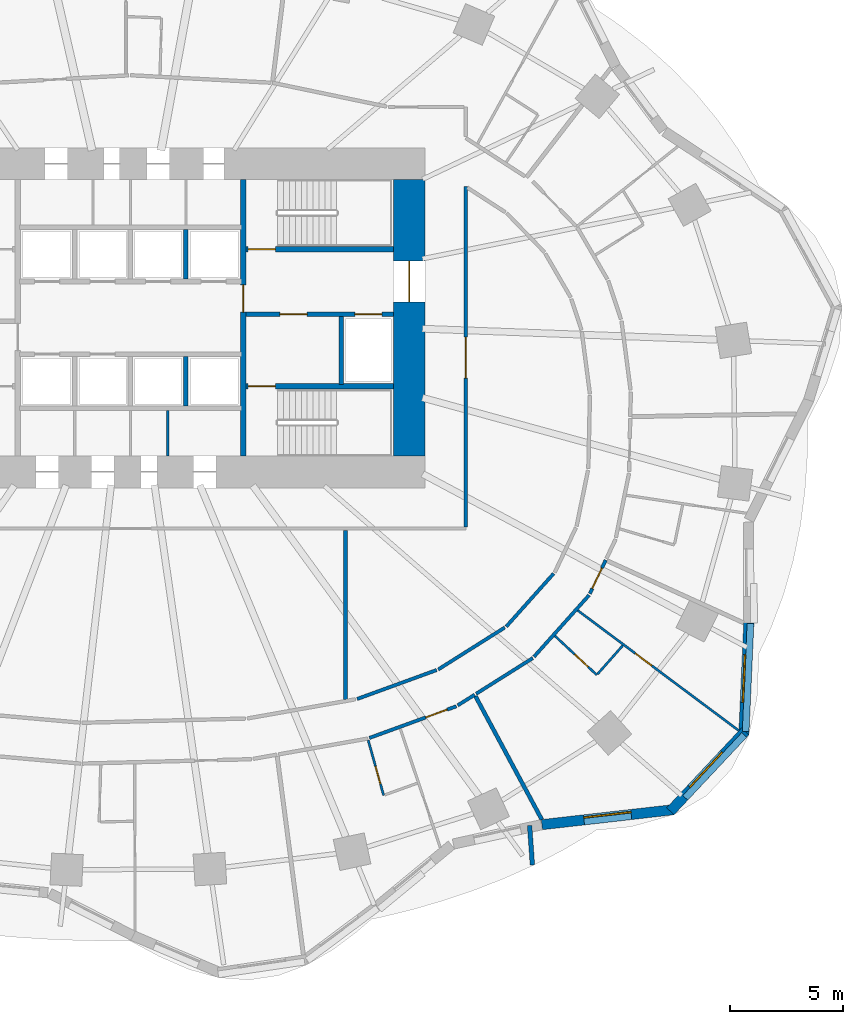
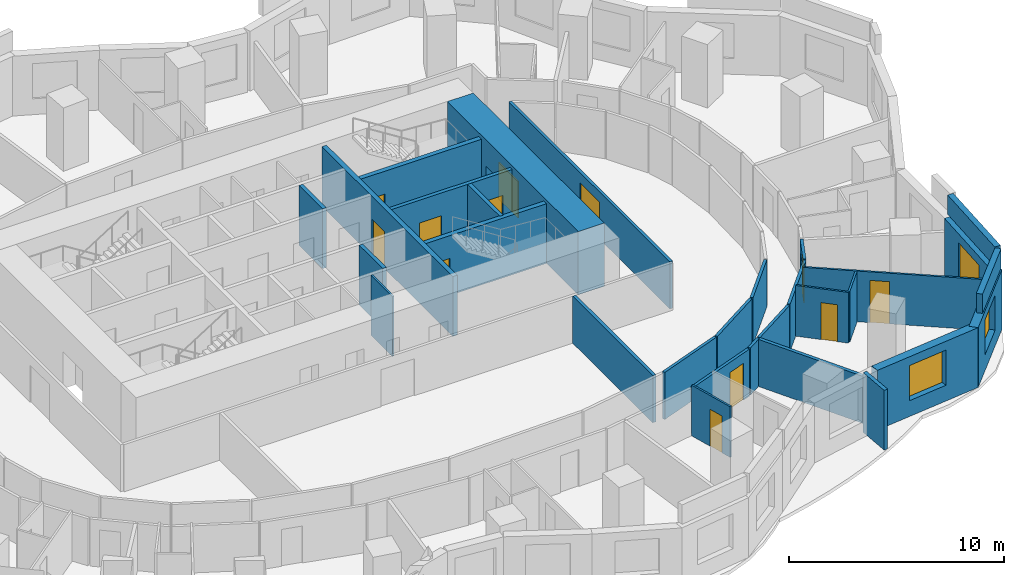
# One storey, part 6 of 11: 30 walls, 12 doors, 3 windows, 15 openings.
"""IFC4 building model written with IfcOpenShell, lengths in metres."""

from ifc_helpers import new_model, si_unit, direction, frame, frame_2d, origin, place, context, subcontext, project, spatial, rectangle, extrude, material, layer, layer_set, type_object, element, fill, save


model = new_model("IFC4")

# Units and contexts
model_context = context("Model", 3, precision=1e-05, world=origin(), true_north=direction((0.0, 1.0)))
body_context = subcontext(model_context, "Body", "Model", "MODEL_VIEW")
ifc_project = project(units=[si_unit("LENGTHUNIT", "METRE"), si_unit("AREAUNIT", "SQUARE_METRE"), si_unit("VOLUMEUNIT", "CUBIC_METRE"), si_unit("PLANEANGLEUNIT", "RADIAN"), si_unit("MASSUNIT", "GRAM", prefix="KILO")], contexts=[model_context])

# Site, building, storey
site_placement = place(None, origin())
site = spatial("IfcSite", under=ifc_project, at=site_placement, CompositionType="ELEMENT")
building_placement = place(site_placement, origin())
building = spatial("IfcBuilding", under=site, at=building_placement, Name="Rubra Terraces Tower", CompositionType="ELEMENT")
storey_placement = place(building_placement, frame((0.0, 0.0, 37.5)))
storey = spatial("IfcBuildingStorey", under=building, at=storey_placement, Name="L06", CompositionType="ELEMENT", Elevation=37.5)

# Walls
ifc_material_1 = material(Name="Twin plasterboard on staggered steel stud, acoustic mineral wool", Category="steel")
ifc_layer_1 = layer(ifc_material_1, 0.175048828125)
ifc_layer_set_1 = layer_set([ifc_layer_1], Name="Twin plasterboard on staggered steel stud, acoustic mineral wool")
wall_type_1 = type_object("IfcWallType", Name="ACOUSTIC PARTY WALL 175", PredefinedType="PARTITIONING", material=ifc_layer_set_1)
wall_1_placement = place(storey_placement, frame((18.152099609375, -17.638916015625, 0.0), z_axis=(0.0, 0.0, 1.0), x_axis=(-0.47366383337, 0.880705724381, 0.0)))
element("IfcWall", 1, at=wall_1_placement, inside=storey, type_object=wall_type_1, Name="PARTITION", PredefinedType="PARTITIONING", context=body_context, shape_type="SweptSolid", body=[
    extrude(rectangle(XDim=6.178466796875, YDim=0.175048828125, at=frame_2d((3.08935546875, 0.0))), origin(), (0.0, 0.0, 1.0), 2.679931640625),
])
wall_2_placement = place(storey_placement, frame((9.5, -12.335205078125, 0.0), z_axis=(0.0, 0.0, 1.0), x_axis=(0.0, 1.0, 0.0)))
element("IfcWall", 2, at=wall_2_placement, inside=storey, type_object=wall_type_1, Name="PARTITION", PredefinedType="PARTITIONING", context=body_context, shape_type="SweptSolid", body=[
    extrude(rectangle(XDim=7.460205078125, YDim=0.175048828125, at=frame_2d((3.72998046875, 0.0))), origin(), (0.0, 0.0, 1.0), 2.679931640625),
])

# Wall, opening, window
ifc_material_2 = material(Name="Brick masonry red-brown", Category="masonry")
ifc_layer_2 = layer(ifc_material_2, 0.449951171875)
ifc_layer_set_2 = layer_set([ifc_layer_2], Name="Brick masonry red-brown")
wall_type_2 = type_object("IfcWallType", Name="Brick facade wall 450", PredefinedType="SOLIDWALL", material=ifc_layer_set_2)
wall_3_placement = place(storey_placement, frame((18.154296875, -17.864990234375, 0.0), z_axis=(0.0, 0.0, 1.0), x_axis=(0.993572909097, 0.113193967633, 0.0)))
wall_3 = element("IfcWall", 3, at=wall_3_placement, inside=storey, type_object=wall_type_2, Name="Facade wall L06 bay 36", PredefinedType="SOLIDWALL", context=body_context, shape_type="SweptSolid", body=[
    extrude(rectangle(XDim=5.838623046875, YDim=0.449951171875, at=frame_2d((2.91943359375, 0.0))), origin(), (0.0, 0.0, 1.0), 3.39990234375),
])
opening_1_placement = place(wall_3_placement, frame((1.869384765625, 0.0, 0.89990234375)))
opening_1 = element("IfcOpeningElement", 4, at=opening_1_placement, cuts=wall_3, Name="Opening W1", PredefinedType="OPENING", context=body_context, shape_type="SweptSolid", body=[
    extrude(rectangle(XDim=2.10009765625, YDim=2.0, at=frame_2d((1.050048828125, 1.0))), frame((0.0, 0.23486328125, 0.0), z_axis=(0.0, -1.0, 0.0), x_axis=(1.0, 0.0, 0.0)), (0.0, 0.0, 1.0), 0.469970703125),
])
ifc_material_3 = material(Name="Clear glass in aluminium frame", Category="aluminium")
window_type = type_object("IfcWindowType", Name="Fixed deep-set window 2100 x 2000", PartitioningType="SINGLE_PANEL", PredefinedType="WINDOW", material=ifc_material_3)
window_1_placement = place(opening_1_placement, origin())
window_1 = element("IfcWindow", 5, at=window_1_placement, inside=storey, type_object=window_type, Name="Window L06 bay 36", OverallHeight=2.0, OverallWidth=2.10009765625, PartitioningType="SINGLE_PANEL", PredefinedType="WINDOW", context=body_context, shape_type="SweptSolid", body=[
    extrude(rectangle(XDim=2.10009765625, YDim=2.0, at=frame_2d((1.050048828125, 1.0))), frame((0.0, 0.135009765625, 0.0), z_axis=(0.0, -1.0, 0.0), x_axis=(1.0, 0.0, 0.0)), (0.0, 0.0, 1.0), 0.06005859375),
])
fill(opening_1, window_1)

wall_4_placement = place(storey_placement, frame((23.822021484375, -17.273193359375, 0.0), z_axis=(0.0, 0.0, 1.0), x_axis=(0.684173167988, 0.729319598122, 0.0)))
wall_4 = element("IfcWall", 6, at=wall_4_placement, inside=storey, type_object=wall_type_2, Name="Facade wall L06 bay 37", PredefinedType="SOLIDWALL", context=body_context, shape_type="SweptSolid", body=[
    extrude(rectangle(XDim=4.8291015625, YDim=0.449951171875, at=frame_2d((2.41455078125, 0.0))), origin(), (0.0, 0.0, 1.0), 3.39990234375),
])
opening_2_placement = place(wall_4_placement, frame((1.364501953125, 0.0, 0.89990234375)))
opening_2 = element("IfcOpeningElement", 7, at=opening_2_placement, cuts=wall_4, Name="Opening W1", PredefinedType="OPENING", context=body_context, shape_type="SweptSolid", body=[
    extrude(rectangle(XDim=2.10009765625, YDim=2.0, at=frame_2d((1.050048828125, 1.0))), frame((0.0, 0.23486328125, 0.0), z_axis=(0.0, -1.0, 0.0), x_axis=(1.0, 0.0, 0.0)), (0.0, 0.0, 1.0), 0.469970703125),
])
window_2_placement = place(opening_2_placement, origin())
window_2 = element("IfcWindow", 8, at=window_2_placement, inside=storey, type_object=window_type, Name="Window L06 bay 37", OverallHeight=2.0, OverallWidth=2.10009765625, PartitioningType="SINGLE_PANEL", PredefinedType="WINDOW", context=body_context, shape_type="SweptSolid", body=[
    extrude(rectangle(XDim=2.10009765625, YDim=2.0, at=frame_2d((1.050048828125, 1.0))), frame((0.0, 0.135009765625, 0.0), z_axis=(0.0, -1.0, 0.0), x_axis=(1.0, 0.0, 0.0)), (0.0, 0.0, 1.0), 0.06005859375),
])
fill(opening_2, window_2)

wall_5_placement = place(storey_placement, frame((27.0654296875, -13.889892578125, 0.0), z_axis=(0.0, 0.0, 1.0), x_axis=(0.044544250924, 0.99900741224, 0.0)))
wall_5 = element("IfcWall", 9, at=wall_5_placement, inside=storey, type_object=wall_type_2, Name="Facade wall L06 bay 38", PredefinedType="SOLIDWALL", context=body_context, shape_type="SweptSolid", body=[
    extrude(rectangle(XDim=4.938232421875, YDim=0.449951171875, at=frame_2d((2.46923828125, 0.0))), origin(), (0.0, 0.0, 1.0), 3.39990234375),
])
opening_3_placement = place(wall_5_placement, frame((1.419189453125, 0.0, 0.89990234375)))
opening_3 = element("IfcOpeningElement", 10, at=opening_3_placement, cuts=wall_5, Name="Opening W1", PredefinedType="OPENING", context=body_context, shape_type="SweptSolid", body=[
    extrude(rectangle(XDim=2.10009765625, YDim=2.0, at=frame_2d((1.050048828125, 1.0))), frame((0.0, 0.23486328125, 0.0), z_axis=(0.0, -1.0, 0.0), x_axis=(1.0, 0.0, 0.0)), (0.0, 0.0, 1.0), 0.469970703125),
])
window_3_placement = place(opening_3_placement, origin())
window_3 = element("IfcWindow", 11, at=window_3_placement, inside=storey, type_object=window_type, Name="Window L06 bay 38", OverallHeight=2.0, OverallWidth=2.10009765625, PartitioningType="SINGLE_PANEL", PredefinedType="WINDOW", context=body_context, shape_type="SweptSolid", body=[
    extrude(rectangle(XDim=2.10009765625, YDim=2.0, at=frame_2d((1.050048828125, 1.0))), frame((0.0, 0.135009765625, 0.0), z_axis=(0.0, -1.0, 0.0), x_axis=(1.0, 0.0, 0.0)), (0.0, 0.0, 1.0), 0.06005859375),
])
fill(opening_3, window_3)

# Walls
ifc_layer_3 = layer(ifc_material_2, 0.300048828125)
ifc_layer_set_3 = layer_set([ifc_layer_3], Name="Brick masonry red-brown")
wall_type_3 = type_object("IfcWallType", Name="Brick parapet 300", PredefinedType="PARAPET", material=ifc_layer_set_3)
wall_6_placement = place(storey_placement, frame((24.4814453125, -16.6796875, 3.60009765625), z_axis=(0.0, 0.0, 1.0), x_axis=(0.684154586848, 0.729337028606, 0.0)))
element("IfcWall", 12, at=wall_6_placement, inside=storey, type_object=wall_type_3, Name="Parapet L06 bay 37", PredefinedType="PARAPET", context=body_context, shape_type="SweptSolid", body=[
    extrude(rectangle(XDim=3.803955078125, YDim=0.300048828125, at=frame_2d((1.90185546875, 0.0))), origin(), (0.0, 0.0, 1.0), 1.099853515625),
])
wall_7_placement = place(storey_placement, frame((27.146484375, -13.75732421875, 3.60009765625), z_axis=(0.0, 0.0, 1.0), x_axis=(0.044503972994, 0.999009207359, 0.0)))
element("IfcWall", 13, at=wall_7_placement, inside=storey, type_object=wall_type_3, Name="Parapet L06 bay 38", PredefinedType="PARAPET", context=body_context, shape_type="SweptSolid", body=[
    extrude(rectangle(XDim=4.76708984375, YDim=0.300048828125, at=frame_2d((2.383544921875, 0.0))), origin(), (0.0, 0.0, 1.0), 1.099853515625),
])
ifc_layer_4 = layer(ifc_material_2, 0.199951171875)
ifc_layer_set_4 = layer_set([ifc_layer_4], Name="Brick masonry red-brown")
wall_type_4 = type_object("IfcWallType", Name="Brick wind fin 200", PredefinedType="SOLIDWALL", material=ifc_layer_set_4)
wall_8_placement = place(storey_placement, frame((17.614013671875, -17.90087890625, 0.0), z_axis=(0.0, 0.0, 1.0), x_axis=(0.069750000204, -0.997564502913, 0.0)))
element("IfcWall", 14, at=wall_8_placement, inside=storey, type_object=wall_type_4, Name="Wind fin L06 21", PredefinedType="SOLIDWALL", context=body_context, shape_type="SweptSolid", body=[
    extrude(rectangle(XDim=1.75, YDim=0.199951171875, at=frame_2d((0.875, 0.0))), origin(), (0.0, 0.0, 1.0), 3.39990234375),
])

# Wall, opening, door
ifc_material_4 = material(Name="Concrete C70", Category="concrete")
ifc_layer_5 = layer(ifc_material_4, 1.39990234375)
ifc_layer_set_5 = layer_set([ifc_layer_5], Name="Concrete C70")
wall_type_5 = type_object("IfcWallType", Name="CORE WALL 1400 C70", PredefinedType="SHEAR", material=ifc_layer_set_5)
wall_9_placement = place(storey_placement, frame((12.300048828125, -1.60009765625, 0.0), z_axis=(0.0, 0.0, 1.0), x_axis=(0.0, 1.0, 0.0)))
wall_9 = element("IfcWall", 15, at=wall_9_placement, inside=storey, type_object=wall_type_5, Name="CORE WALL E L06", PredefinedType="SHEAR", context=body_context, shape_type="SweptSolid", body=[
    extrude(rectangle(XDim=12.2001953125, YDim=1.39990234375, at=frame_2d((6.10009765625, 0.0))), origin(), (0.0, 0.0, 1.0), 3.60009765625),
])
opening_4_placement = place(wall_9_placement, frame((6.800048828125, 0.0, 0.0)))
opening_4 = element("IfcOpeningElement", 16, at=opening_4_placement, cuts=wall_9, Name="Opening L06.C02", PredefinedType="OPENING", context=body_context, shape_type="SweptSolid", body=[
    extrude(rectangle(XDim=1.800048828125, YDim=2.10009765625, at=frame_2d((0.89990234375, 1.050048828125))), frame((0.0, 0.7099609375, 0.0), z_axis=(0.0, -1.0, 0.0), x_axis=(1.0, 0.0, 0.0)), (0.0, 0.0, 1.0), 1.419921875),
])
ifc_material_5 = material(Name="Painted steel", Category="steel")
door_type_1 = type_object("IfcDoorType", Name="Fire door 1800x2100 double", OperationType="NOTDEFINED", PredefinedType="DOOR", material=ifc_material_5)
door_1_placement = place(opening_4_placement, origin())
door_1 = element("IfcDoor", 17, at=door_1_placement, inside=storey, type_object=door_type_1, Name="Core entrance door FF2", OperationType="DOUBLE_DOOR_SINGLE_SWING", OverallHeight=2.10009765625, OverallWidth=1.800048828125, PredefinedType="DOOR", context=body_context, shape_type="SweptSolid", body=[
    extrude(rectangle(XDim=1.800048828125, YDim=2.10009765625, at=frame_2d((0.89990234375, 1.050048828125))), frame((0.0, 0.02490234375, 0.0), z_axis=(0.0, -1.0, 0.0), x_axis=(1.0, 0.0, 0.0)), (0.0, 0.0, 1.0), 0.050048828125),
])
fill(opening_4, door_1)

ifc_material_6 = material(Name="Plasterboard on steel stud, mineral wool infill", Category="steel")
ifc_layer_6 = layer(ifc_material_6, 0.14990234375)
ifc_layer_set_6 = layer_set([ifc_layer_6], Name="Plasterboard on steel stud, mineral wool infill")
wall_type_6 = type_object("IfcWallType", Name="CORRIDOR PARTITION 150", PredefinedType="PARTITIONING", material=ifc_layer_set_6)
wall_10_placement = place(storey_placement, frame((10.543212890625, -14.0400390625, 0.0), z_axis=(0.0, 0.0, 1.0), x_axis=(0.939576705301, 0.342338450741, 0.0)))
wall_10 = element("IfcWall", 18, at=wall_10_placement, inside=storey, type_object=wall_type_6, Name="PARTITION", PredefinedType="PARTITIONING", context=body_context, shape_type="SweptSolid", body=[
    extrude(rectangle(XDim=4.08203125, YDim=0.14990234375, at=frame_2d((2.041015625, 0.0))), origin(), (0.0, 0.0, 1.0), 2.679931640625),
])
opening_5_placement = place(wall_10_placement, frame((2.64990234375, 0.0, 0.0)))
opening_5 = element("IfcOpeningElement", 19, at=opening_5_placement, cuts=wall_10, Name="Opening 06-128", PredefinedType="OPENING", context=body_context, shape_type="SweptSolid", body=[
    extrude(rectangle(XDim=1.0, YDim=2.10009765625, at=frame_2d((0.5, 1.050048828125))), frame((0.0, 0.0849609375, 0.0), z_axis=(0.0, -1.0, 0.0), x_axis=(1.0, 0.0, 0.0)), (0.0, 0.0, 1.0), 0.169921875),
])
ifc_material_7 = material(Name="Painted timber door leaf", Category="wood")
door_type_2 = type_object("IfcDoorType", Name="ROOM DOOR 1000 X 2100", OperationType="SINGLE_SWING_LEFT", PredefinedType="DOOR", material=ifc_material_7)
door_2_placement = place(opening_5_placement, origin())
door_2 = element("IfcDoor", 20, at=door_2_placement, inside=storey, type_object=door_type_2, Name="DOOR 06-128", OperationType="SINGLE_SWING_RIGHT", OverallHeight=2.10009765625, OverallWidth=1.0, PredefinedType="DOOR", context=body_context, shape_type="SweptSolid", body=[
    extrude(rectangle(XDim=1.0, YDim=2.10009765625, at=frame_2d((0.5, 1.050048828125))), frame((0.0, 0.02490234375, 0.0), z_axis=(0.0, -1.0, 0.0), x_axis=(1.0, 0.0, 0.0)), (0.0, 0.0, 1.0), 0.050048828125),
])
fill(opening_5, door_2)

# Walls
wall_11_placement = place(storey_placement, frame((14.442138671875, -12.602783203125, 0.0), z_axis=(0.0, 0.0, 1.0), x_axis=(0.845928311112, 0.533296627084, 0.0)))
element("IfcWall", 21, at=wall_11_placement, inside=storey, type_object=wall_type_6, Name="PARTITION", PredefinedType="PARTITIONING", context=body_context, shape_type="SweptSolid", body=[
    extrude(rectangle(XDim=0.884033203125, YDim=0.14990234375, at=frame_2d((0.44189453125, 0.0))), origin(), (0.0, 0.0, 1.0), 2.679931640625),
])
wall_12_placement = place(storey_placement, frame((15.25341796875, -12.09130859375, 0.0), z_axis=(0.0, 0.0, 1.0), x_axis=(0.846020362576, 0.533150584832, 0.0)))
element("IfcWall", 22, at=wall_12_placement, inside=storey, type_object=wall_type_6, Name="PARTITION", PredefinedType="PARTITIONING", context=body_context, shape_type="SweptSolid", body=[
    extrude(rectangle(XDim=2.955810546875, YDim=0.14990234375, at=frame_2d((1.47802734375, 0.0))), origin(), (0.0, 0.0, 1.0), 2.679931640625),
])
wall_13_placement = place(storey_placement, frame((17.80419921875, -10.459716796875, 0.0), z_axis=(0.0, 0.0, 1.0), x_axis=(0.666597463623, 0.745417883802, 0.0)))
element("IfcWall", 23, at=wall_13_placement, inside=storey, type_object=wall_type_6, Name="PARTITION", PredefinedType="PARTITIONING", context=body_context, shape_type="SweptSolid", body=[
    extrude(rectangle(XDim=3.65185546875, YDim=0.14990234375, at=frame_2d((1.825927734375, 0.0))), origin(), (0.0, 0.0, 1.0), 2.679931640625),
])

# Wall, opening, door
wall_14_placement = place(storey_placement, frame((20.2705078125, -7.669677734375, 0.0), z_axis=(0.0, 0.0, 1.0), x_axis=(0.428079933012, 0.903740876, 0.0)))
wall_14 = element("IfcWall", 24, at=wall_14_placement, inside=storey, type_object=wall_type_6, Name="PARTITION", PredefinedType="PARTITIONING", context=body_context, shape_type="SweptSolid", body=[
    extrude(rectangle(XDim=1.63671875, YDim=0.14990234375, at=frame_2d((0.818359375, 0.0))), origin(), (0.0, 0.0, 1.0), 2.679931640625),
])
opening_6_placement = place(wall_14_placement, frame((0.25, 0.0, 0.0)))
opening_6 = element("IfcOpeningElement", 25, at=opening_6_placement, cuts=wall_14, Name="Opening 06-131", PredefinedType="OPENING", context=body_context, shape_type="SweptSolid", body=[
    extrude(rectangle(XDim=1.0, YDim=2.10009765625, at=frame_2d((0.5, 1.050048828125))), frame((0.0, 0.0849609375, 0.0), z_axis=(0.0, -1.0, 0.0), x_axis=(1.0, 0.0, 0.0)), (0.0, 0.0, 1.0), 0.169921875),
])
door_3_placement = place(opening_6_placement, origin())
door_3 = element("IfcDoor", 26, at=door_3_placement, inside=storey, type_object=door_type_2, Name="DOOR 06-131", OperationType="SINGLE_SWING_RIGHT", OverallHeight=2.10009765625, OverallWidth=1.0, PredefinedType="DOOR", context=body_context, shape_type="SweptSolid", body=[
    extrude(rectangle(XDim=1.0, YDim=2.10009765625, at=frame_2d((0.5, 1.050048828125))), frame((0.0, 0.02490234375, 0.0), z_axis=(0.0, -1.0, 0.0), x_axis=(1.0, 0.0, 0.0)), (0.0, 0.0, 1.0), 0.050048828125),
])
fill(opening_6, door_3)

# Walls
wall_15_placement = place(storey_placement, frame((18.673095703125, -6.78759765625, 0.0), z_axis=(0.0, 0.0, 1.0), x_axis=(-0.666610670036, -0.745406073623, 0.0)))
element("IfcWall", 27, at=wall_15_placement, inside=storey, type_object=wall_type_6, Name="PARTITION", PredefinedType="PARTITIONING", context=body_context, shape_type="SweptSolid", body=[
    extrude(rectangle(XDim=3.138671875, YDim=0.14990234375, at=frame_2d((1.5693359375, 0.0))), origin(), (0.0, 0.0, 1.0), 2.679931640625),
])
wall_16_placement = place(storey_placement, frame((16.517333984375, -9.167236328125, 0.0), z_axis=(0.0, 0.0, 1.0), x_axis=(-0.846000117603, -0.533182708849, 0.0)))
element("IfcWall", 28, at=wall_16_placement, inside=storey, type_object=wall_type_6, Name="PARTITION", PredefinedType="PARTITIONING", context=body_context, shape_type="SweptSolid", body=[
    extrude(rectangle(XDim=3.469970703125, YDim=0.14990234375, at=frame_2d((1.73486328125, 0.0))), origin(), (0.0, 0.0, 1.0), 2.679931640625),
])
wall_17_placement = place(storey_placement, frame((13.51123046875, -11.04296875, 0.0), z_axis=(0.0, 0.0, 1.0), x_axis=(-0.939583191704, -0.342320647736, 0.0)))
element("IfcWall", 29, at=wall_17_placement, inside=storey, type_object=wall_type_6, Name="PARTITION", PredefinedType="PARTITIONING", context=body_context, shape_type="SweptSolid", body=[
    extrude(rectangle(XDim=3.73291015625, YDim=0.14990234375, at=frame_2d((1.866455078125, 0.0))), origin(), (0.0, 0.0, 1.0), 2.679931640625),
])

# Wall, opening, door
wall_18_placement = place(storey_placement, frame((14.800048828125, -4.72509765625, 0.0), z_axis=(0.0, 0.0, 1.0), x_axis=(0.0, 1.0, 0.0)))
wall_18 = element("IfcWall", 30, at=wall_18_placement, inside=storey, type_object=wall_type_6, Name="PARTITION", PredefinedType="PARTITIONING", context=body_context, shape_type="SweptSolid", body=[
    extrude(rectangle(XDim=15.00830078125, YDim=0.14990234375, at=frame_2d((7.504150390625, 0.0))), origin(), (0.0, 0.0, 1.0), 2.679931640625),
])
opening_7_placement = place(wall_18_placement, frame((6.56591796875, 0.0, 0.0)))
opening_7 = element("IfcOpeningElement", 31, at=opening_7_placement, cuts=wall_18, Name="Opening 06-137", PredefinedType="OPENING", context=body_context, shape_type="SweptSolid", body=[
    extrude(rectangle(XDim=1.800048828125, YDim=2.10009765625, at=frame_2d((0.89990234375, 1.050048828125))), frame((0.0, 0.0849609375, 0.0), z_axis=(0.0, -1.0, 0.0), x_axis=(1.0, 0.0, 0.0)), (0.0, 0.0, 1.0), 0.169921875),
])
ifc_material_8 = material(Name="Painted timber door leaf, double", Category="wood")
door_type_3 = type_object("IfcDoorType", Name="ROOM DOUBLE DOOR 1800 X 2100", OperationType="DOUBLE_DOOR_SINGLE_SWING", PredefinedType="DOOR", material=ifc_material_8)
door_4_placement = place(opening_7_placement, origin())
door_4 = element("IfcDoor", 32, at=door_4_placement, inside=storey, type_object=door_type_3, Name="DOOR 06-137", OperationType="DOUBLE_DOOR_SINGLE_SWING", OverallHeight=2.10009765625, OverallWidth=1.800048828125, PredefinedType="DOOR", context=body_context, shape_type="SweptSolid", body=[
    extrude(rectangle(XDim=1.800048828125, YDim=2.10009765625, at=frame_2d((0.89990234375, 1.050048828125))), frame((0.0, 0.02490234375, 0.0), z_axis=(0.0, -1.0, 0.0), x_axis=(1.0, 0.0, 0.0)), (0.0, 0.0, 1.0), 0.050048828125),
])
fill(opening_7, door_4)

# Wall, openings, doors
ifc_material_9 = material(Name="Concrete C30", Category="concrete")
ifc_layer_7 = layer(ifc_material_9, 0.199951171875)
ifc_layer_set_7 = layer_set([ifc_layer_7], Name="Concrete C30")
wall_type_7 = type_object("IfcWallType", Name="Core wall 200 concrete", PredefinedType="SOLIDWALL", material=ifc_layer_set_7)
wall_19_placement = place(storey_placement, frame((11.60009765625, 4.64990234375, 0.0), z_axis=(0.0, 0.0, 1.0), x_axis=(-1.0, 0.0, 0.0)))
wall_19 = element("IfcWall", 33, at=wall_19_placement, inside=storey, type_object=wall_type_7, Name="STAIR WALL L06", PredefinedType="SOLIDWALL", context=body_context, shape_type="SweptSolid", body=[
    extrude(rectangle(XDim=6.5, YDim=0.199951171875, at=frame_2d((3.25, 0.0))), origin(), (0.0, 0.0, 1.0), 3.39990234375),
])
opening_8_placement = place(wall_19_placement, frame((3.800048828125, 0.0, 0.0)))
opening_8 = element("IfcOpeningElement", 34, at=opening_8_placement, cuts=wall_19, Name="Opening L06.C06", PredefinedType="OPENING", context=body_context, shape_type="SweptSolid", body=[
    extrude(rectangle(XDim=1.199951171875, YDim=2.10009765625, at=frame_2d((0.60009765625, 1.050048828125))), frame((0.0, 0.10986328125, 0.0), z_axis=(0.0, -1.0, 0.0), x_axis=(1.0, 0.0, 0.0)), (0.0, 0.0, 1.0), 0.219970703125),
])
opening_9_placement = place(wall_19_placement, frame((0.5, 0.0, 0.0)))
opening_9 = element("IfcOpeningElement", 35, at=opening_9_placement, cuts=wall_19, Name="Opening L06.C12", PredefinedType="OPENING", context=body_context, shape_type="SweptSolid", body=[
    extrude(rectangle(XDim=1.199951171875, YDim=2.10009765625, at=frame_2d((0.60009765625, 1.050048828125))), frame((0.0, 0.10986328125, 0.0), z_axis=(0.0, -1.0, 0.0), x_axis=(1.0, 0.0, 0.0)), (0.0, 0.0, 1.0), 0.219970703125),
])
door_type_4 = type_object("IfcDoorType", Name="Fire door 1200x2100 single", OperationType="NOTDEFINED", PredefinedType="DOOR", material=ifc_material_5)
door_5_placement = place(opening_8_placement, origin())
door_5 = element("IfcDoor", 36, at=door_5_placement, inside=storey, type_object=door_type_4, Name="Stair vestibule door S4", OperationType="SINGLE_SWING_RIGHT", OverallHeight=2.10009765625, OverallWidth=1.199951171875, PredefinedType="DOOR", context=body_context, shape_type="SweptSolid", body=[
    extrude(rectangle(XDim=1.199951171875, YDim=2.10009765625, at=frame_2d((0.60009765625, 1.050048828125))), frame((0.0, 0.02490234375, 0.0), z_axis=(0.0, -1.0, 0.0), x_axis=(1.0, 0.0, 0.0)), (0.0, 0.0, 1.0), 0.050048828125),
])
fill(opening_8, door_5)
ifc_material_10 = material(Name="Stainless steel", Category="steel")
door_type_5 = type_object("IfcDoorType", Name="Lift landing door 1200x2100", OperationType="NOTDEFINED", PredefinedType="DOOR", material=ifc_material_10)
door_6_placement = place(opening_9_placement, origin())
door_6 = element("IfcDoor", 37, at=door_6_placement, inside=storey, type_object=door_type_5, Name="Landing door FF2", OperationType="SLIDING_TO_RIGHT", OverallHeight=2.10009765625, OverallWidth=1.199951171875, PredefinedType="DOOR", context=body_context, shape_type="SweptSolid", body=[
    extrude(rectangle(XDim=1.199951171875, YDim=2.10009765625, at=frame_2d((0.60009765625, 1.050048828125))), frame((0.0, 0.02490234375, 0.0), z_axis=(0.0, -1.0, 0.0), x_axis=(1.0, 0.0, 0.0)), (0.0, 0.0, 1.0), 0.050048828125),
])
fill(opening_9, door_6)

# Walls
wall_20_placement = place(storey_placement, frame((9.300048828125, 4.550048828125, 0.0), z_axis=(0.0, 0.0, 1.0), x_axis=(0.0, -1.0, 0.0)))
element("IfcWall", 38, at=wall_20_placement, inside=storey, type_object=wall_type_7, Name="STAIR WALL L06", PredefinedType="SOLIDWALL", context=body_context, shape_type="SweptSolid", body=[
    extrude(rectangle(XDim=3.0, YDim=0.199951171875, at=frame_2d((1.5, 0.0))), origin(), (0.0, 0.0, 1.0), 3.39990234375),
])
for number, where, z_axis, x_axis, name in (
    (39, (2.449951171875, 0.60009765625, 0.0), (0.0, 0.0, 1.0), (0.0, 1.0, 0.0), "LIFT SHAFT WALL L06"),
    (40, (2.449951171875, 6.199951171875, 0.0), (0.0, 0.0, 1.0), (0.0, 1.0, 0.0), "LIFT SHAFT WALL L06"),
):
    element("IfcWall", number, at=place(storey_placement, frame(where, z_axis=z_axis, x_axis=x_axis)), inside=storey, type_object=wall_type_7, Name=name, PredefinedType="SOLIDWALL", context=body_context, shape_type="SweptSolid", body=[
        extrude(rectangle(XDim=2.199951171875, YDim=0.199951171875, at=frame_2d((1.10009765625, 0.0))), origin(), (0.0, 0.0, 1.0), 3.39990234375),
    ])

# Wall, opening, door
ifc_material_11 = material(Name="Plasterboard on steel stud", Category="steel")
ifc_layer_8 = layer(ifc_material_11, 0.10009765625)
ifc_layer_set_8 = layer_set([ifc_layer_8], Name="Plasterboard on steel stud")
wall_type_8 = type_object("IfcWallType", Name="ROOM PARTITION 100", PredefinedType="PARTITIONING", material=ifc_layer_set_8)
wall_21_placement = place(storey_placement, frame((10.49267578125, -14.137939453125, 0.0), z_axis=(0.0, 0.0, 1.0), x_axis=(0.269174437276, -0.963091440268, 0.0)))
wall_21 = element("IfcWall", 41, at=wall_21_placement, inside=storey, type_object=wall_type_8, Name="PARTITION", PredefinedType="PARTITIONING", context=body_context, shape_type="SweptSolid", body=[
    extrude(rectangle(XDim=2.525146484375, YDim=0.10009765625, at=frame_2d((1.2626953125, 0.0))), origin(), (0.0, 0.0, 1.0), 2.884033203125),
])
opening_10_placement = place(wall_21_placement, frame((1.199951171875, 0.0, 0.0)))
opening_10 = element("IfcOpeningElement", 42, at=opening_10_placement, cuts=wall_21, Name="Opening 06-126", PredefinedType="OPENING", context=body_context, shape_type="SweptSolid", body=[
    extrude(rectangle(XDim=0.800048828125, YDim=2.10009765625, at=frame_2d((0.39990234375, 1.050048828125))), frame((0.0, 0.06005859375, 0.0), z_axis=(0.0, -1.0, 0.0), x_axis=(1.0, 0.0, 0.0)), (0.0, 0.0, 1.0), 0.1201171875),
])
door_type_6 = type_object("IfcDoorType", Name="BATHROOM DOOR 800 X 2100", OperationType="SINGLE_SWING_LEFT", PredefinedType="DOOR", material=ifc_material_7)
door_7_placement = place(opening_10_placement, origin())
door_7 = element("IfcDoor", 43, at=door_7_placement, inside=storey, type_object=door_type_6, Name="DOOR 06-126", OperationType="SINGLE_SWING_LEFT", OverallHeight=2.10009765625, OverallWidth=0.800048828125, PredefinedType="DOOR", context=body_context, shape_type="SweptSolid", body=[
    extrude(rectangle(XDim=0.800048828125, YDim=2.10009765625, at=frame_2d((0.39990234375, 1.050048828125))), frame((0.0, 0.02490234375, 0.0), z_axis=(0.0, -1.0, 0.0), x_axis=(1.0, 0.0, 0.0)), (0.0, 0.0, 1.0), 0.050048828125),
])
fill(opening_10, door_7)

wall_22_placement = place(storey_placement, frame((26.843994140625, -13.715576171875, 0.0), z_axis=(0.0, 0.0, 1.0), x_axis=(-0.801513651747, 0.597976476179, 0.0)))
wall_22 = element("IfcWall", 44, at=wall_22_placement, inside=storey, type_object=wall_type_8, Name="PARTITION", PredefinedType="PARTITIONING", context=body_context, shape_type="SweptSolid", body=[
    extrude(rectangle(XDim=8.869140625, YDim=0.10009765625, at=frame_2d((4.4345703125, 0.0))), origin(), (0.0, 0.0, 1.0), 2.884033203125),
])
opening_11_placement = place(wall_22_placement, frame((4.7939453125, 0.0, 0.0)))
opening_11 = element("IfcOpeningElement", 45, at=opening_11_placement, cuts=wall_22, Name="Opening 06-130", PredefinedType="OPENING", context=body_context, shape_type="SweptSolid", body=[
    extrude(rectangle(XDim=0.89990234375, YDim=2.39990234375, at=frame_2d((0.449951171875, 1.199951171875))), frame((0.0, 0.06005859375, 0.0), z_axis=(0.0, -1.0, 0.0), x_axis=(1.0, 0.0, 0.0)), (0.0, 0.0, 1.0), 0.1201171875),
])
ifc_material_12 = material(Name="Veneered timber door leaf, fire-rated", Category="wood")
door_type_7 = type_object("IfcDoorType", Name="SUITE ENTRANCE DOOR 900 X 2400", OperationType="SINGLE_SWING_LEFT", PredefinedType="DOOR", material=ifc_material_12)
door_8_placement = place(opening_11_placement, origin())
door_8 = element("IfcDoor", 46, at=door_8_placement, inside=storey, type_object=door_type_7, Name="DOOR 06-130", OperationType="SINGLE_SWING_LEFT", OverallHeight=2.39990234375, OverallWidth=0.89990234375, PredefinedType="DOOR", context=body_context, shape_type="SweptSolid", body=[
    extrude(rectangle(XDim=0.89990234375, YDim=2.39990234375, at=frame_2d((0.449951171875, 1.199951171875))), frame((0.0, 0.02490234375, 0.0), z_axis=(0.0, -1.0, 0.0), x_axis=(1.0, 0.0, 0.0)), (0.0, 0.0, 1.0), 0.050048828125),
])
fill(opening_11, door_8)

wall_23_placement = place(storey_placement, frame((18.730224609375, -9.53662109375, 0.0), z_axis=(0.0, 0.0, 1.0), x_axis=(0.731379942675, -0.68197021889, 0.0)))
wall_23 = element("IfcWall", 47, at=wall_23_placement, inside=storey, type_object=wall_type_8, Name="PARTITION", PredefinedType="PARTITIONING", context=body_context, shape_type="SweptSolid", body=[
    extrude(rectangle(XDim=2.52490234375, YDim=0.10009765625, at=frame_2d((1.262451171875, 0.0))), origin(), (0.0, 0.0, 1.0), 2.884033203125),
])
opening_12_placement = place(wall_23_placement, frame((1.199951171875, 0.0, 0.0)))
opening_12 = element("IfcOpeningElement", 48, at=opening_12_placement, cuts=wall_23, Name="Opening 06-129", PredefinedType="OPENING", context=body_context, shape_type="SweptSolid", body=[
    extrude(rectangle(XDim=0.800048828125, YDim=2.10009765625, at=frame_2d((0.39990234375, 1.050048828125))), frame((0.0, 0.06005859375, 0.0), z_axis=(0.0, -1.0, 0.0), x_axis=(1.0, 0.0, 0.0)), (0.0, 0.0, 1.0), 0.1201171875),
])
door_9_placement = place(opening_12_placement, origin())
door_9 = element("IfcDoor", 49, at=door_9_placement, inside=storey, type_object=door_type_6, Name="DOOR 06-129", OperationType="SINGLE_SWING_LEFT", OverallHeight=2.10009765625, OverallWidth=0.800048828125, PredefinedType="DOOR", context=body_context, shape_type="SweptSolid", body=[
    extrude(rectangle(XDim=0.800048828125, YDim=2.10009765625, at=frame_2d((0.39990234375, 1.050048828125))), frame((0.0, 0.02490234375, 0.0), z_axis=(0.0, -1.0, 0.0), x_axis=(1.0, 0.0, 0.0)), (0.0, 0.0, 1.0), 0.050048828125),
])
fill(opening_12, door_9)

# Walls
wall_24_placement = place(storey_placement, frame((20.610107421875, -11.22119140625, 0.0), z_axis=(0.0, 0.0, 1.0), x_axis=(0.66251758855, 0.749046356951, 0.0)))
element("IfcWall", 50, at=wall_24_placement, inside=storey, type_object=wall_type_8, Name="PARTITION", PredefinedType="PARTITIONING", context=body_context, shape_type="SweptSolid", body=[
    extrude(rectangle(XDim=1.684326171875, YDim=0.10009765625, at=frame_2d((0.84228515625, 0.0))), origin(), (0.0, 0.0, 1.0), 2.884033203125),
])
ifc_material_13 = material(Name="Blockwork", Category="masonry")
ifc_layer_9 = layer(ifc_material_13, 0.10009765625)
ifc_layer_set_9 = layer_set([ifc_layer_9], Name="Blockwork")
wall_type_9 = type_object("IfcWallType", Name="Service partition 100 blockwork", PredefinedType="PARTITIONING", material=ifc_layer_set_9)
wall_25_placement = place(storey_placement, frame((1.64990234375, -1.60009765625, 0.0), z_axis=(0.0, 0.0, 1.0), x_axis=(0.0, 1.0, 0.0)))
element("IfcWall", 51, at=wall_25_placement, inside=storey, type_object=wall_type_9, Name="SERVICE ROOM PARTITION L06", PredefinedType="PARTITIONING", context=body_context, shape_type="SweptSolid", body=[
    extrude(rectangle(XDim=2.0, YDim=0.10009765625, at=frame_2d((1.0, 0.0))), origin(), (0.0, 0.0, 1.0), 3.39990234375),
])

# Wall, opening, door
ifc_material_14 = material(Name="Concrete C40", Category="concrete")
ifc_layer_10 = layer(ifc_material_14, 0.25)
ifc_layer_set_10 = layer_set([ifc_layer_10], Name="Concrete C40")
wall_type_10 = type_object("IfcWallType", Name="Stair enclosure wall 250 concrete", PredefinedType="SOLIDWALL", material=ifc_layer_set_10)
wall_26_placement = place(storey_placement, frame((11.60009765625, 7.52490234375, 0.0), z_axis=(0.0, 0.0, 1.0), x_axis=(-1.0, 0.0, 0.0)))
wall_26 = element("IfcWall", 52, at=wall_26_placement, inside=storey, type_object=wall_type_10, Name="STAIR WALL L06", PredefinedType="SOLIDWALL", context=body_context, shape_type="SweptSolid", body=[
    extrude(rectangle(XDim=6.5, YDim=0.25, at=frame_2d((3.25, 0.0))), origin(), (0.0, 0.0, 1.0), 3.39990234375),
])
opening_13_placement = place(wall_26_placement, frame((5.199951171875, 0.0, 0.0)))
opening_13 = element("IfcOpeningElement", 53, at=opening_13_placement, cuts=wall_26, Name="Opening L06.C08", PredefinedType="OPENING", context=body_context, shape_type="SweptSolid", body=[
    extrude(rectangle(XDim=1.199951171875, YDim=2.10009765625, at=frame_2d((0.60009765625, 1.050048828125))), frame((0.0, 0.135009765625, 0.0), z_axis=(0.0, -1.0, 0.0), x_axis=(1.0, 0.0, 0.0)), (0.0, 0.0, 1.0), 0.27001953125),
])
door_10_placement = place(opening_13_placement, origin())
door_10 = element("IfcDoor", 54, at=door_10_placement, inside=storey, type_object=door_type_4, Name="Stair door S3", OperationType="SINGLE_SWING_RIGHT", OverallHeight=2.10009765625, OverallWidth=1.199951171875, PredefinedType="DOOR", context=body_context, shape_type="SweptSolid", body=[
    extrude(rectangle(XDim=1.199951171875, YDim=2.10009765625, at=frame_2d((0.60009765625, 1.050048828125))), frame((0.0, 0.02490234375, 0.0), z_axis=(0.0, -1.0, 0.0), x_axis=(1.0, 0.0, 0.0)), (0.0, 0.0, 1.0), 0.050048828125),
])
fill(opening_13, door_10)

wall_27_placement = place(storey_placement, frame((11.60009765625, 1.47509765625, 0.0), z_axis=(0.0, 0.0, 1.0), x_axis=(-1.0, 0.0, 0.0)))
wall_27 = element("IfcWall", 55, at=wall_27_placement, inside=storey, type_object=wall_type_10, Name="STAIR WALL L06", PredefinedType="SOLIDWALL", context=body_context, shape_type="SweptSolid", body=[
    extrude(rectangle(XDim=6.5, YDim=0.25, at=frame_2d((3.25, 0.0))), origin(), (0.0, 0.0, 1.0), 3.39990234375),
])
opening_14_placement = place(wall_27_placement, frame((5.199951171875, 0.0, 0.0)))
opening_14 = element("IfcOpeningElement", 56, at=opening_14_placement, cuts=wall_27, Name="Opening L06.C10", PredefinedType="OPENING", context=body_context, shape_type="SweptSolid", body=[
    extrude(rectangle(XDim=1.199951171875, YDim=2.10009765625, at=frame_2d((0.60009765625, 1.050048828125))), frame((0.0, 0.135009765625, 0.0), z_axis=(0.0, -1.0, 0.0), x_axis=(1.0, 0.0, 0.0)), (0.0, 0.0, 1.0), 0.27001953125),
])
door_11_placement = place(opening_14_placement, origin())
door_11 = element("IfcDoor", 57, at=door_11_placement, inside=storey, type_object=door_type_4, Name="Stair door S4", OperationType="SINGLE_SWING_RIGHT", OverallHeight=2.10009765625, OverallWidth=1.199951171875, PredefinedType="DOOR", context=body_context, shape_type="SweptSolid", body=[
    extrude(rectangle(XDim=1.199951171875, YDim=2.10009765625, at=frame_2d((0.60009765625, 1.050048828125))), frame((0.0, 0.02490234375, 0.0), z_axis=(0.0, -1.0, 0.0), x_axis=(1.0, 0.0, 0.0)), (0.0, 0.0, 1.0), 0.050048828125),
])
fill(opening_14, door_11)

wall_28_placement = place(storey_placement, frame((4.97509765625, 10.60009765625, 0.0), z_axis=(0.0, 0.0, 1.0), x_axis=(0.0, -1.0, 0.0)))
wall_28 = element("IfcWall", 58, at=wall_28_placement, inside=storey, type_object=wall_type_10, Name="CORE LOBBY WALL L06", PredefinedType="SOLIDWALL", context=body_context, shape_type="SweptSolid", body=[
    extrude(rectangle(XDim=12.2001953125, YDim=0.25, at=frame_2d((6.10009765625, 0.0))), origin(), (0.0, 0.0, 1.0), 3.39990234375),
])
opening_15_placement = place(wall_28_placement, frame((4.64990234375, 0.0, 0.0)))
opening_15 = element("IfcOpeningElement", 59, at=opening_15_placement, cuts=wall_28, Name="Opening L06.C04", PredefinedType="OPENING", context=body_context, shape_type="SweptSolid", body=[
    extrude(rectangle(XDim=1.199951171875, YDim=2.10009765625, at=frame_2d((0.60009765625, 1.050048828125))), frame((0.0, 0.135009765625, 0.0), z_axis=(0.0, -1.0, 0.0), x_axis=(1.0, 0.0, 0.0)), (0.0, 0.0, 1.0), 0.27001953125),
])
door_12_placement = place(opening_15_placement, origin())
door_12 = element("IfcDoor", 60, at=door_12_placement, inside=storey, type_object=door_type_4, Name="Firefighting lobby door FF2", OperationType="SINGLE_SWING_RIGHT", OverallHeight=2.10009765625, OverallWidth=1.199951171875, PredefinedType="DOOR", context=body_context, shape_type="SweptSolid", body=[
    extrude(rectangle(XDim=1.199951171875, YDim=2.10009765625, at=frame_2d((0.60009765625, 1.050048828125))), frame((0.0, 0.02490234375, 0.0), z_axis=(0.0, -1.0, 0.0), x_axis=(1.0, 0.0, 0.0)), (0.0, 0.0, 1.0), 0.050048828125),
])
fill(opening_15, door_12)

save(model, "model.ifc")
